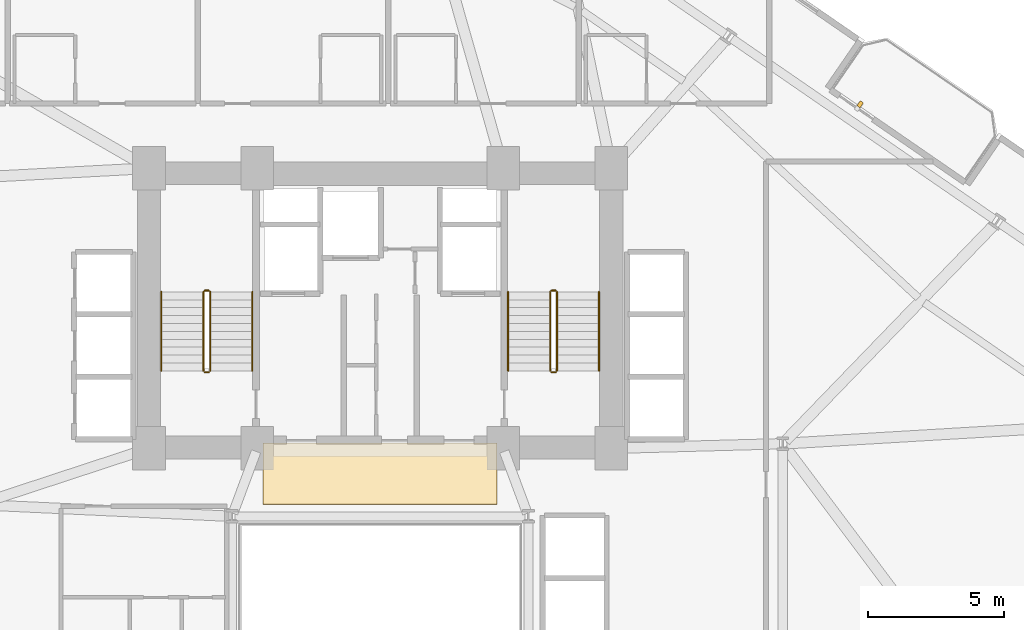
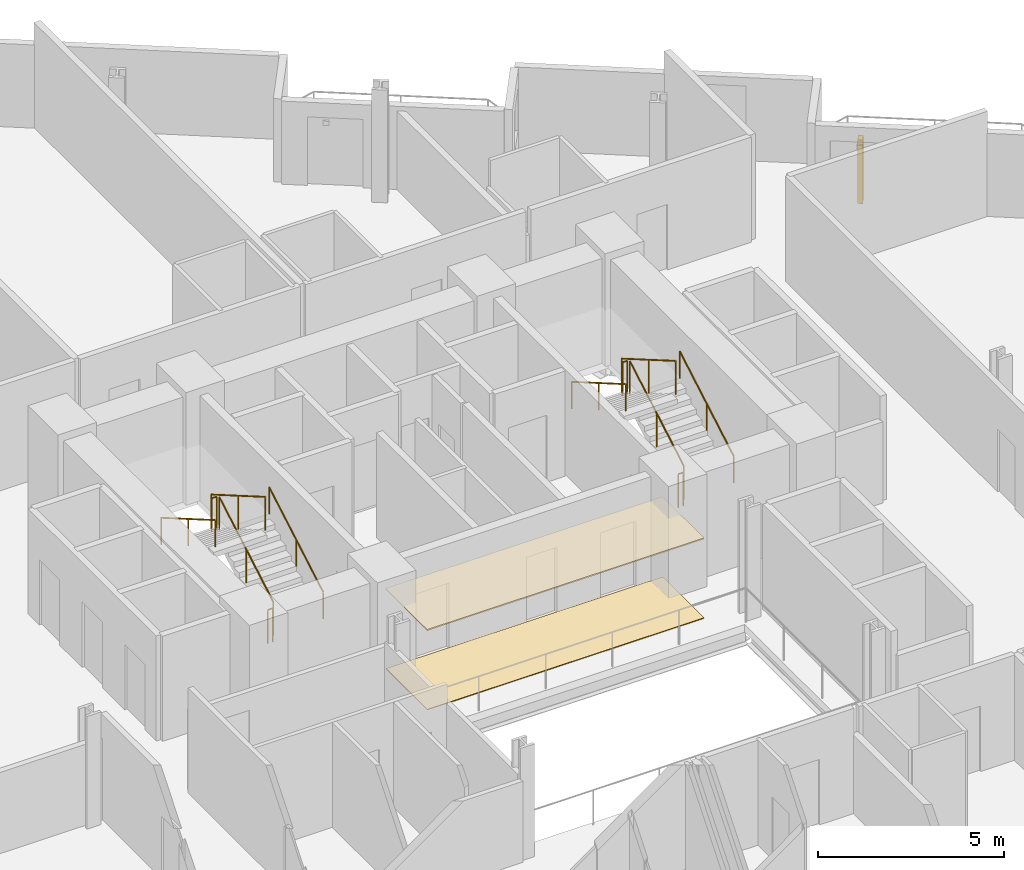
# One storey, part 24 of 25: 12 railings, 2 coverings, 1 shading device.
"""IFC4 building model written with IfcOpenShell, lengths in metres."""

import ifcopenshell
import ifcopenshell.guid

model = None  # the IFC model being written
_history = None  # IfcOwnerHistory: only IFC2X3 demands one
_inside = {}  # id of a spatial element -> (the spatial element, [elements in it])
_under = {}  # id of a project, library or spatial element -> (it, [spatial elements below it])
_declared = {}  # id of a project -> (the project, [libraries it declares])
_typed = {}  # id of a type object -> (the type object, [elements of that type])
_made_of = {}  # id of a material, layer set ... -> (it, [elements and type objects made of it])


def new_model(schema):
    """Start an empty IFC model of exactly this schema.

    Asked for "IFC4X3", IfcOpenShell would pick the latest addendum, in which some entities
    have other attributes; the version numbers below select the first issue.
    IFC2X3 requires an IfcOwnerHistory on every rooted entity: one is made here for all.
    """
    global model, _history
    if schema == "IFC4X3":
        model = ifcopenshell.file(schema_version=(4, 3, 0, 0))
    else:
        model = ifcopenshell.file(schema=schema)
    _inside.clear()
    _under.clear()
    _declared.clear()
    _typed.clear()
    _made_of.clear()
    _history = None
    if model.schema == "IFC2X3":
        org = make("IfcOrganization", Name="unknown")
        user = make(
            "IfcPersonAndOrganization",
            ThePerson=make("IfcPerson", FamilyName="unknown"),
            TheOrganization=org,
        )
        app = make(
            "IfcApplication",
            ApplicationDeveloper=org,
            Version="unknown",
            ApplicationFullName="unknown",
            ApplicationIdentifier="unknown",
        )
        _history = make(
            "IfcOwnerHistory",
            OwningUser=user,
            OwningApplication=app,
            ChangeAction="ADDED",
            CreationDate=0,
        )
    return model


def make(cls, **values):
    """One entity of the class cls with the attributes given. An attribute that is None is left unset."""
    return model.create_entity(
        cls, **{name: value for name, value in values.items() if value is not None}
    )


def rooted(cls, **values):
    """An entity with a GlobalId (a new one), such as an element, a storey or a relation."""
    return make(cls, GlobalId=ifcopenshell.guid.new(), OwnerHistory=_history, **values)


def si_unit(unit_type, name, prefix=None):
    """IfcSIUnit, for example si_unit("LENGTHUNIT", "METRE", prefix="MILLI")."""
    return make("IfcSIUnit", UnitType=unit_type, Prefix=prefix, Name=name)


def assignment(units):
    """IfcUnitAssignment: the units of a project."""
    return None if units is None else make("IfcUnitAssignment", Units=units)


def point(xyz):
    """IfcCartesianPoint."""
    return None if xyz is None else make("IfcCartesianPoint", Coordinates=xyz)


def direction(xyz):
    """IfcDirection."""
    return None if xyz is None else make("IfcDirection", DirectionRatios=xyz)


def frame(location, z_axis=None, x_axis=None):
    """IfcAxis2Placement3D, a coordinate frame: its origin and axes. An axis left out is left unset."""
    return make(
        "IfcAxis2Placement3D",
        Location=point(location),
        Axis=direction(z_axis),
        RefDirection=direction(x_axis),
    )


def frame_2d(location, x_axis=None):
    """IfcAxis2Placement2D, a coordinate frame in the plane: its origin and x axis."""
    return make(
        "IfcAxis2Placement2D", Location=point(location), RefDirection=direction(x_axis)
    )


def origin():
    """The frame at (0, 0, 0) with its axes left unset."""
    return frame((0.0, 0.0, 0.0))


def origin_2d():
    """The frame at (0, 0) in the plane with its x axis left unset."""
    return frame_2d((0.0, 0.0))


def place(relative_to, where):
    """IfcLocalPlacement: puts the frame where relative to a parent placement (None: the world)."""
    return make(
        "IfcLocalPlacement", PlacementRelTo=relative_to, RelativePlacement=where
    )


def context(
    kind, dimensions, precision=None, world=None, true_north=None, identifier=None
):
    """IfcGeometricRepresentationContext, for example the 3D "Model" context."""
    return make(
        "IfcGeometricRepresentationContext",
        ContextIdentifier=identifier,
        ContextType=kind,
        CoordinateSpaceDimension=dimensions,
        Precision=precision,
        WorldCoordinateSystem=world,
        TrueNorth=true_north,
    )


def subcontext(parent, identifier, kind, view, scale=None):
    """IfcGeometricRepresentationSubContext, for example "Body" below "Model"."""
    return make(
        "IfcGeometricRepresentationSubContext",
        ContextIdentifier=identifier,
        ContextType=kind,
        ParentContext=parent,
        TargetScale=scale,
        TargetView=view,
    )


def project(units=None, contexts=None):
    """IfcProject with its units and contexts."""
    return rooted(
        "IfcProject",
        Name="project",
        RepresentationContexts=contexts,
        UnitsInContext=assignment(units),
    )


def spatial(cls, under=None, at=None, **own):
    """A site, building, storey or space (cls), placed at a placement, below another one or the project."""
    s = rooted(cls, ObjectPlacement=at, **own)
    if under is not None:
        _under.setdefault(under.id(), (under, []))[1].append(s)
    return s


def profile(cls, at=None, kind="AREA", **sizes):
    """A parametric profile (cls). Its sizes go by their IFC names, for example OverallWidth=200.0."""
    return make(cls, ProfileType=kind, Position=at, **sizes)


def rectangle(**sizes):
    """IfcRectangleProfileDef."""
    return profile("IfcRectangleProfileDef", **sizes)


def circle(**sizes):
    """IfcCircleProfileDef."""
    return profile("IfcCircleProfileDef", **sizes)


def extrude(swept, where, along, depth):
    """IfcExtrudedAreaSolid: the profile swept, set in the frame where, extruded along a direction by depth."""
    return make(
        "IfcExtrudedAreaSolid",
        SweptArea=swept,
        Position=where,
        ExtrudedDirection=direction(along),
        Depth=depth,
    )


def shape(context_of_items, identifier, shape_type, items):
    """IfcShapeRepresentation: the items that make up one representation, for example the "Body"."""
    return make(
        "IfcShapeRepresentation",
        ContextOfItems=context_of_items,
        RepresentationIdentifier=identifier,
        RepresentationType=shape_type,
        Items=items,
    )


def source(mapping_origin, context_of_items, identifier, shape_type, items):
    """IfcRepresentationMap: a shape defined once, which mapped items show again and again."""
    return make(
        "IfcRepresentationMap",
        MappingOrigin=mapping_origin,
        MappedRepresentation=shape(context_of_items, identifier, shape_type, items),
    )


def transform(
    local_origin,
    x_axis=None,
    y_axis=None,
    z_axis=None,
    scale=None,
    scale2=None,
    scale3=None,
    uniform=True,
):
    """IfcCartesianTransformationOperator3D, or its non-uniform kind. x_axis, y_axis, z_axis: its Axis1, 2, 3."""
    if uniform:
        return make(
            "IfcCartesianTransformationOperator3D",
            Axis1=direction(x_axis),
            Axis2=direction(y_axis),
            LocalOrigin=point(local_origin),
            Scale=scale,
            Axis3=direction(z_axis),
        )
    return make(
        "IfcCartesianTransformationOperator3DnonUniform",
        Axis1=direction(x_axis),
        Axis2=direction(y_axis),
        LocalOrigin=point(local_origin),
        Scale=scale,
        Axis3=direction(z_axis),
        Scale2=scale2,
        Scale3=scale3,
    )


def mapped(mapping_source, mapping_target):
    """IfcMappedItem: shows the shape of a source again, moved by a transform."""
    return make(
        "IfcMappedItem", MappingSource=mapping_source, MappingTarget=mapping_target
    )


def material(Name=None, Category=None):
    """IfcMaterial."""
    return make("IfcMaterial", Name=Name, Category=Category)


def layer(
    of_material, thickness, ventilated=None, Name=None, Category=None, Priority=None
):
    """IfcMaterialLayer: one layer of a wall or slab, of a material (None: an air gap)."""
    return make(
        "IfcMaterialLayer",
        Material=of_material,
        LayerThickness=thickness,
        IsVentilated=ventilated,
        Name=Name,
        Category=Category,
        Priority=Priority,
    )


def layer_set(layers, Name=None):
    """IfcMaterialLayerSet."""
    return make("IfcMaterialLayerSet", MaterialLayers=layers, LayerSetName=Name)


def made_of(thing, what):
    """Note that an element or type object is made of a material, layer set ...; save() writes the relation."""
    if what is not None:
        _made_of.setdefault(what.id(), (what, []))[1].append(thing)
    return thing


def type_object(cls, material=None, **own):
    """A type object (cls), such as IfcWallType, which elements share."""
    return made_of(rooted(cls, **own), material)


def element(
    cls,
    number,
    at=None,
    inside=None,
    cuts=None,
    type_object=None,
    material=None,
    context=None,
    identifier="Body",
    shape_type=None,
    held_by="IfcProductDefinitionShape",
    body=None,
    shapes=None,
    **own,
):
    """One element of the class cls, such as IfcWall. Its Tag is "e" and its number.

    at: its placement. inside: the storey or other place that contains it. cuts: it is an
    opening in that element (IfcRelVoidsElement). A single representation is given by context,
    identifier, shape_type and body (its items); several are given by shapes. held_by: the class
    of the entity that holds the representations. save() writes the other relations.
    """
    e = rooted(cls, Tag="e%d" % number, ObjectPlacement=at, **own)
    if body is not None:
        shapes = [shape(context, identifier, shape_type, body)]
    if shapes is not None:
        e.Representation = make(held_by, Representations=shapes)
    if inside is not None:
        _inside.setdefault(inside.id(), (inside, []))[1].append(e)
    if cuts is not None:
        rooted(
            "IfcRelVoidsElement", RelatingBuildingElement=cuts, RelatedOpeningElement=e
        )
    if type_object is not None:
        _typed.setdefault(type_object.id(), (type_object, []))[1].append(e)
    return made_of(e, material)


def aggregate(whole, parts):
    """IfcRelAggregates: a whole, such as a stair, and the parts it consists of."""
    return rooted("IfcRelAggregates", RelatingObject=whole, RelatedObjects=parts)


def save(model, path):
    """Write the relations noted so far, then the file.

    IfcRelAggregates (storeys below a building ...), IfcRelContainedInSpatialStructure (elements
    in a storey), IfcRelDefinesByType, IfcRelAssociatesMaterial and IfcRelDeclares: one each for
    every whole, place, type object, material and project.
    """
    for whole, parts in _under.values():
        aggregate(whole, parts)
    for where, things in _inside.values():
        rooted(
            "IfcRelContainedInSpatialStructure",
            RelatedElements=things,
            RelatingStructure=where,
        )
    for kind, things in _typed.values():
        rooted("IfcRelDefinesByType", RelatedObjects=things, RelatingType=kind)
    for what, things in _made_of.values():
        rooted("IfcRelAssociatesMaterial", RelatedObjects=things, RelatingMaterial=what)
    for by, libraries in _declared.values():
        rooted("IfcRelDeclares", RelatingContext=by, RelatedDefinitions=libraries)
    model.write(path)


model = new_model("IFC4")

# Units and contexts
model_context = context("Model", 3, precision=1e-05, world=origin(), true_north=direction((0.0, 1.0)))
body_context = subcontext(model_context, "Body", "Model", "MODEL_VIEW")
ifc_project = project(units=[si_unit("LENGTHUNIT", "METRE"), si_unit("AREAUNIT", "SQUARE_METRE"), si_unit("VOLUMEUNIT", "CUBIC_METRE"), si_unit("PLANEANGLEUNIT", "RADIAN"), si_unit("MASSUNIT", "GRAM", prefix="KILO")], contexts=[model_context])

# Site, building, storey
site_placement = place(None, origin())
site = spatial("IfcSite", under=ifc_project, at=site_placement, CompositionType="ELEMENT")
building_placement = place(site_placement, origin())
building = spatial("IfcBuilding", under=site, at=building_placement, Name="Varnelok Gate Tower", CompositionType="ELEMENT")
storey_placement = place(building_placement, frame((0.0, 0.0, 34.39990234375)))
storey = spatial("IfcBuildingStorey", under=building, at=storey_placement, Name="L07", CompositionType="ELEMENT", Elevation=34.39990234375)

# Railings
ifc_material_1 = material(Name="Brushed Stainless Steel AISI 316", Category="steel")
railing_type_1 = type_object("IfcRailingType", Name="RL-HANDRAIL-900", PredefinedType="HANDRAIL", material=ifc_material_1)
railing_1_placement = place(storey_placement, frame((34.5, 31.60009765625, 0.168212890625)))
element("IfcRailing", 1, at=railing_1_placement, inside=storey, type_object=railing_type_1, Name="L07 ST-1 stair handrail 1", PredefinedType="HANDRAIL", context=body_context, shape_type="SweptSolid", body=[
    extrude(circle(Radius=0.02392578125, at=origin_2d()), frame((0.0, 0.0, 0.8759765625), z_axis=(0.0, 0.865038774852, 0.501705010941), x_axis=(-1.0, 0.0, 0.0)), (0.0, 0.0, 1.0), 3.352294921875),
    extrude(circle(Radius=0.02099609375, at=origin_2d()), origin(), (0.0, 0.0, 1.0), 0.851806640625),
    extrude(circle(Radius=0.02099609375, at=origin_2d()), frame((0.0, 1.449951171875, 0.8408203125)), (0.0, 0.0, 1.0), 0.851806640625),
    extrude(circle(Radius=0.02099609375, at=origin_2d()), frame((0.0, 2.89990234375, 1.681884765625)), (0.0, 0.0, 1.0), 0.851806640625),
])
railing_2_placement = place(storey_placement, frame((31.14990234375, 34.5, 2.018310546875)))
element("IfcRailing", 2, at=railing_2_placement, inside=storey, type_object=railing_type_1, Name="L07 ST-1 stair handrail 2", PredefinedType="HANDRAIL", context=body_context, shape_type="SweptSolid", body=[
    extrude(circle(Radius=0.02392578125, at=origin_2d()), frame((0.0, 0.0, 0.8759765625), z_axis=(0.0, -0.865038774852, 0.501705010941), x_axis=(1.0, 0.0, 0.0)), (0.0, 0.0, 1.0), 3.352294921875),
    extrude(circle(Radius=0.02099609375, at=origin_2d()), origin(), (0.0, 0.0, 1.0), 0.851806640625),
    extrude(circle(Radius=0.02099609375, at=origin_2d()), frame((0.0, -1.449951171875, 0.8408203125)), (0.0, 0.0, 1.0), 0.851806640625),
    extrude(circle(Radius=0.02099609375, at=origin_2d()), frame((0.0, -2.89990234375, 1.681884765625)), (0.0, 0.0, 1.0), 0.851806640625),
])
railing_3_placement = place(storey_placement, frame((47.25, 31.60009765625, 0.168212890625)))
element("IfcRailing", 3, at=railing_3_placement, inside=storey, type_object=railing_type_1, Name="L07 ST-2 stair handrail 1", PredefinedType="HANDRAIL", context=body_context, shape_type="SweptSolid", body=[
    extrude(circle(Radius=0.02392578125, at=origin_2d()), frame((0.0, 0.0, 0.8759765625), z_axis=(0.0, 0.865038774852, 0.501705010941), x_axis=(-1.0, 0.0, 0.0)), (0.0, 0.0, 1.0), 3.352294921875),
    extrude(circle(Radius=0.02099609375, at=origin_2d()), origin(), (0.0, 0.0, 1.0), 0.851806640625),
    extrude(circle(Radius=0.02099609375, at=origin_2d()), frame((0.0, 1.449951171875, 0.8408203125)), (0.0, 0.0, 1.0), 0.851806640625),
    extrude(circle(Radius=0.02099609375, at=origin_2d()), frame((0.0, 2.89990234375, 1.681884765625)), (0.0, 0.0, 1.0), 0.851806640625),
])
railing_4_placement = place(storey_placement, frame((43.89990234375, 34.5, 2.018310546875)))
element("IfcRailing", 4, at=railing_4_placement, inside=storey, type_object=railing_type_1, Name="L07 ST-2 stair handrail 2", PredefinedType="HANDRAIL", context=body_context, shape_type="SweptSolid", body=[
    extrude(circle(Radius=0.02392578125, at=origin_2d()), frame((0.0, 0.0, 0.8759765625), z_axis=(0.0, -0.865038774852, 0.501705010941), x_axis=(1.0, 0.0, 0.0)), (0.0, 0.0, 1.0), 3.352294921875),
    extrude(circle(Radius=0.02099609375, at=origin_2d()), origin(), (0.0, 0.0, 1.0), 0.851806640625),
    extrude(circle(Radius=0.02099609375, at=origin_2d()), frame((0.0, -1.449951171875, 0.8408203125)), (0.0, 0.0, 1.0), 0.851806640625),
    extrude(circle(Radius=0.02099609375, at=origin_2d()), frame((0.0, -2.89990234375, 1.681884765625)), (0.0, 0.0, 1.0), 0.851806640625),
])
ifc_material_2 = material(Name="Galvanized Steel Grade S350GD", Category="steel")
railing_type_2 = type_object("IfcRailingType", Name="RL-STAIR-GUARD1120", PredefinedType="GUARDRAIL", material=ifc_material_2)
railing_5_placement = place(storey_placement, frame((32.949951171875, 31.60009765625, 0.168212890625)))
element("IfcRailing", 5, at=railing_5_placement, inside=storey, type_object=railing_type_2, Name="L07 ST-1 stair guard 1", PredefinedType="GUARDRAIL", context=body_context, shape_type="SweptSolid", body=[
    extrude(circle(Radius=0.02392578125, at=origin_2d()), frame((0.0, 0.0, 1.09619140625), z_axis=(0.0, 0.865038774852, 0.501705010941), x_axis=(-1.0, 0.0, 0.0)), (0.0, 0.0, 1.0), 3.352294921875),
    extrude(circle(Radius=0.02099609375, at=origin_2d()), origin(), (0.0, 0.0, 1.0), 1.072021484375),
    extrude(circle(Radius=0.02099609375, at=origin_2d()), frame((0.0, 1.449951171875, 0.8408203125)), (0.0, 0.0, 1.0), 1.072021484375),
    extrude(circle(Radius=0.02099609375, at=origin_2d()), frame((0.0, 2.89990234375, 1.681884765625)), (0.0, 0.0, 1.0), 1.072021484375),
])
railing_6_placement = place(storey_placement, frame((32.89990234375, 34.550048828125, 1.85009765625)))
element("IfcRailing", 6, at=railing_6_placement, inside=storey, type_object=railing_type_2, Name="L07 ST-1 stair guard 2", PredefinedType="GUARDRAIL", context=body_context, shape_type="SweptSolid", body=[
    extrude(circle(Radius=0.02392578125, at=origin_2d()), frame((0.0, 0.0, 1.09619140625), z_axis=(-1.0, 0.0, 0.0), x_axis=(0.0, -1.0, 0.0)), (0.0, 0.0, 1.0), 0.14990234375),
    extrude(circle(Radius=0.02099609375, at=origin_2d()), origin(), (0.0, 0.0, 1.0), 1.072021484375),
    extrude(circle(Radius=0.02099609375, at=origin_2d()), frame((-0.14990234375, 0.0, 0.0)), (0.0, 0.0, 1.0), 1.072021484375),
])
railing_7_placement = place(storey_placement, frame((32.699951171875, 34.5, 2.018310546875)))
element("IfcRailing", 7, at=railing_7_placement, inside=storey, type_object=railing_type_2, Name="L07 ST-1 stair guard 3", PredefinedType="GUARDRAIL", context=body_context, shape_type="SweptSolid", body=[
    extrude(circle(Radius=0.02392578125, at=origin_2d()), frame((0.0, 0.0, 1.09619140625), z_axis=(0.0, -0.865038774852, 0.501705010941), x_axis=(1.0, 0.0, 0.0)), (0.0, 0.0, 1.0), 3.352294921875),
    extrude(circle(Radius=0.02099609375, at=origin_2d()), origin(), (0.0, 0.0, 1.0), 1.072021484375),
    extrude(circle(Radius=0.02099609375, at=origin_2d()), frame((0.0, -1.449951171875, 0.8408203125)), (0.0, 0.0, 1.0), 1.072021484375),
    extrude(circle(Radius=0.02099609375, at=origin_2d()), frame((0.0, -2.89990234375, 1.681884765625)), (0.0, 0.0, 1.0), 1.072021484375),
])
railing_8_placement = place(storey_placement, frame((32.89990234375, 31.550048828125, 0.0)))
element("IfcRailing", 8, at=railing_8_placement, inside=storey, type_object=railing_type_2, Name="L07 ST-1 stair guard 4", PredefinedType="GUARDRAIL", context=body_context, shape_type="SweptSolid", body=[
    extrude(circle(Radius=0.02392578125, at=origin_2d()), frame((0.0, 0.0, 1.09619140625), z_axis=(-1.0, 0.0, 0.0), x_axis=(0.0, -1.0, 0.0)), (0.0, 0.0, 1.0), 0.14990234375),
    extrude(circle(Radius=0.02099609375, at=origin_2d()), origin(), (0.0, 0.0, 1.0), 1.072021484375),
    extrude(circle(Radius=0.02099609375, at=origin_2d()), frame((-0.14990234375, 0.0, 0.0)), (0.0, 0.0, 1.0), 1.072021484375),
])
railing_9_placement = place(storey_placement, frame((45.699951171875, 31.60009765625, 0.168212890625)))
element("IfcRailing", 9, at=railing_9_placement, inside=storey, type_object=railing_type_2, Name="L07 ST-2 stair guard 1", PredefinedType="GUARDRAIL", context=body_context, shape_type="SweptSolid", body=[
    extrude(circle(Radius=0.02392578125, at=origin_2d()), frame((0.0, 0.0, 1.09619140625), z_axis=(0.0, 0.865038774852, 0.501705010941), x_axis=(-1.0, 0.0, 0.0)), (0.0, 0.0, 1.0), 3.352294921875),
    extrude(circle(Radius=0.02099609375, at=origin_2d()), origin(), (0.0, 0.0, 1.0), 1.072021484375),
    extrude(circle(Radius=0.02099609375, at=origin_2d()), frame((0.0, 1.449951171875, 0.8408203125)), (0.0, 0.0, 1.0), 1.072021484375),
    extrude(circle(Radius=0.02099609375, at=origin_2d()), frame((0.0, 2.89990234375, 1.681884765625)), (0.0, 0.0, 1.0), 1.072021484375),
])
railing_10_placement = place(storey_placement, frame((45.64990234375, 34.550048828125, 1.85009765625)))
element("IfcRailing", 10, at=railing_10_placement, inside=storey, type_object=railing_type_2, Name="L07 ST-2 stair guard 2", PredefinedType="GUARDRAIL", context=body_context, shape_type="SweptSolid", body=[
    extrude(circle(Radius=0.02392578125, at=origin_2d()), frame((0.0, 0.0, 1.09619140625), z_axis=(-1.0, 0.0, 0.0), x_axis=(0.0, -1.0, 0.0)), (0.0, 0.0, 1.0), 0.14990234375),
    extrude(circle(Radius=0.02099609375, at=origin_2d()), origin(), (0.0, 0.0, 1.0), 1.072021484375),
    extrude(circle(Radius=0.02099609375, at=origin_2d()), frame((-0.14990234375, 0.0, 0.0)), (0.0, 0.0, 1.0), 1.072021484375),
])
railing_11_placement = place(storey_placement, frame((45.449951171875, 34.5, 2.018310546875)))
element("IfcRailing", 11, at=railing_11_placement, inside=storey, type_object=railing_type_2, Name="L07 ST-2 stair guard 3", PredefinedType="GUARDRAIL", context=body_context, shape_type="SweptSolid", body=[
    extrude(circle(Radius=0.02392578125, at=origin_2d()), frame((0.0, 0.0, 1.09619140625), z_axis=(0.0, -0.865038774852, 0.501705010941), x_axis=(1.0, 0.0, 0.0)), (0.0, 0.0, 1.0), 3.352294921875),
    extrude(circle(Radius=0.02099609375, at=origin_2d()), origin(), (0.0, 0.0, 1.0), 1.072021484375),
    extrude(circle(Radius=0.02099609375, at=origin_2d()), frame((0.0, -1.449951171875, 0.8408203125)), (0.0, 0.0, 1.0), 1.072021484375),
    extrude(circle(Radius=0.02099609375, at=origin_2d()), frame((0.0, -2.89990234375, 1.681884765625)), (0.0, 0.0, 1.0), 1.072021484375),
])
railing_12_placement = place(storey_placement, frame((45.64990234375, 31.550048828125, 0.0)))
element("IfcRailing", 12, at=railing_12_placement, inside=storey, type_object=railing_type_2, Name="L07 ST-2 stair guard 4", PredefinedType="GUARDRAIL", context=body_context, shape_type="SweptSolid", body=[
    extrude(circle(Radius=0.02392578125, at=origin_2d()), frame((0.0, 0.0, 1.09619140625), z_axis=(-1.0, 0.0, 0.0), x_axis=(0.0, -1.0, 0.0)), (0.0, 0.0, 1.0), 0.14990234375),
    extrude(circle(Radius=0.02099609375, at=origin_2d()), origin(), (0.0, 0.0, 1.0), 1.072021484375),
    extrude(circle(Radius=0.02099609375, at=origin_2d()), frame((-0.14990234375, 0.0, 0.0)), (0.0, 0.0, 1.0), 1.072021484375),
])

# Shading device
ifc_material_3 = material(Name="Glazed Architectural Terracotta Ceramic", Category="masonry")
shading_device_type = type_object("IfcShadingDeviceType", Name="SHD-TERRA-FIN", PredefinedType="USERDEFINED", material=ifc_material_3)
shared_shape_1 = source(origin(), body_context, "Body", "SweptSolid", [
    extrude(rectangle(XDim=0.139892578125, YDim=0.219970703125, at=origin_2d()), origin(), (0.0, 0.0, 1.0), 2.10009765625),
])
shading_device_placement = place(storey_placement, frame((56.847412109375, 41.400390625, 0.10009765625), z_axis=(0.0, 0.0, 1.0), x_axis=(0.823532597628, -0.567268949127, 0.0)))
element("IfcShadingDevice", 13, at=shading_device_placement, inside=storey, type_object=shading_device_type, Name="L07 Terracotta Ceramic Baguette Sunscreen 4.1", ObjectType="BAGUETTE", PredefinedType="USERDEFINED", context=body_context, shape_type="MappedRepresentation", body=[
    mapped(shared_shape_1, transform((0.0, 0.0, 0.0), scale=1.0)),
])

# Coverings
ifc_material_4 = material(Name="Honed Travertine Stone Flooring", Category="masonry")
ifc_layer_1 = layer(ifc_material_4, 0.02490234375)
ifc_layer_set_1 = layer_set([ifc_layer_1], Name="Honed Travertine Stone Flooring")
covering_type_1 = type_object("IfcCoveringType", Name="COV-FLOR-STONE", PredefinedType="FLOORING", material=ifc_layer_set_1)
shared_shape_2 = source(origin(), body_context, "Body", "SweptSolid", [
    extrude(rectangle(XDim=8.60009765625, YDim=2.219970703125, at=origin_2d()), origin(), (0.0, 0.0, 1.0), 0.02490234375),
])
covering_1_placement = place(storey_placement, frame((39.199951171875, 27.800048828125, 0.000244140625), z_axis=(0.0, 0.0, 1.0), x_axis=(1.0, 0.0, 0.0)))
element("IfcCovering", 14, at=covering_1_placement, inside=storey, type_object=covering_type_1, Name="L07 Core Gallery Stone Flooring", PredefinedType="FLOORING", context=body_context, shape_type="MappedRepresentation", body=[
    mapped(shared_shape_2, transform((0.0, 0.0, 0.0), scale=1.0)),
])
ifc_material_5 = material(Name="Mineral Fiber Acoustic Ceiling Tile")
ifc_layer_2 = layer(ifc_material_5, 0.0400390625)
ifc_layer_set_2 = layer_set([ifc_layer_2], Name="Mineral Fiber Acoustic Ceiling Tile")
covering_type_2 = type_object("IfcCoveringType", Name="COV-CEIL-ACOUST", PredefinedType="CEILING", material=ifc_layer_set_2)
shared_shape_3 = source(origin(), body_context, "Body", "SweptSolid", [
    extrude(rectangle(XDim=8.60009765625, YDim=2.239990234375, at=origin_2d()), origin(), (0.0, 0.0, 1.0), 0.0400390625),
])
covering_2_placement = place(storey_placement, frame((39.199951171875, 27.820068359375, 2.60009765625), z_axis=(0.0, 0.0, 1.0), x_axis=(1.0, 0.0, 0.0)))
element("IfcCovering", 15, at=covering_2_placement, inside=storey, type_object=covering_type_2, Name="L07 Core Gallery Acoustic Ceiling", PredefinedType="CEILING", context=body_context, shape_type="MappedRepresentation", body=[
    mapped(shared_shape_3, transform((0.0, 0.0, 0.0), scale=1.0)),
])

save(model, "model.ifc")
